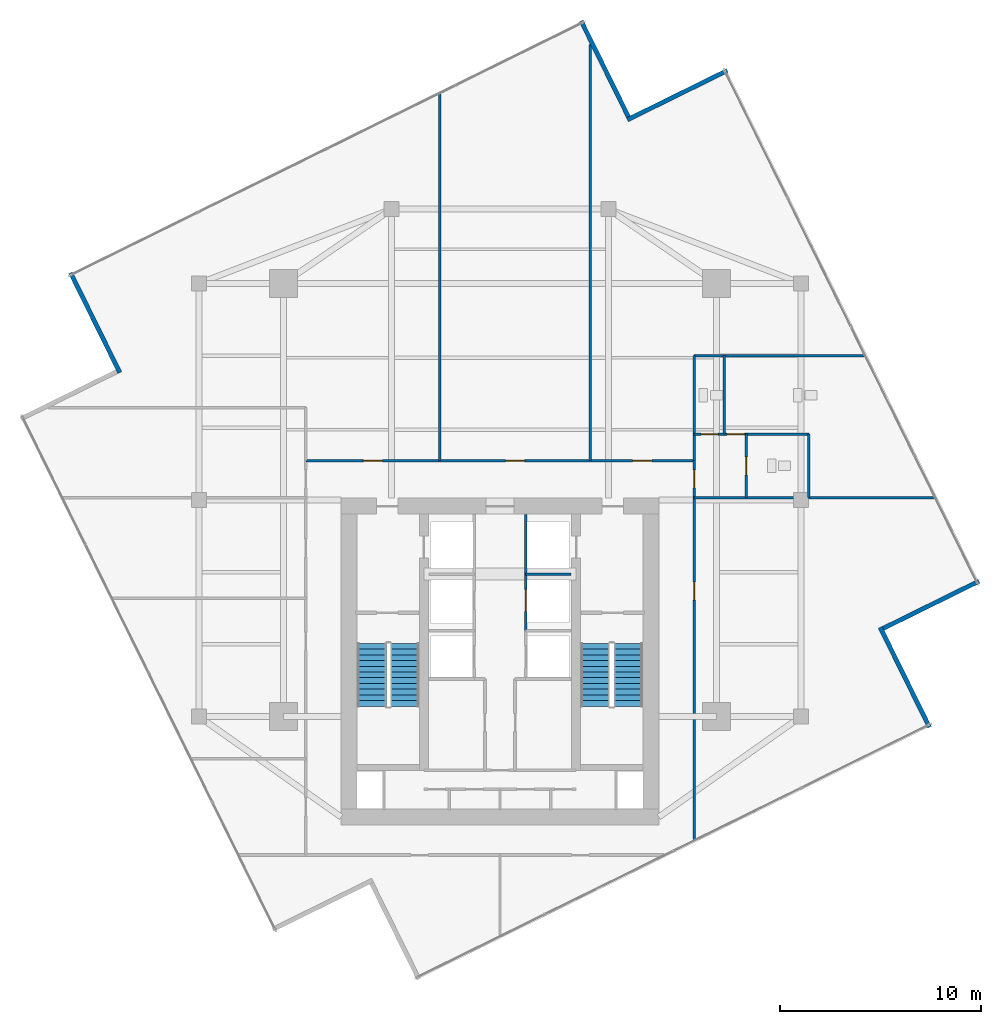
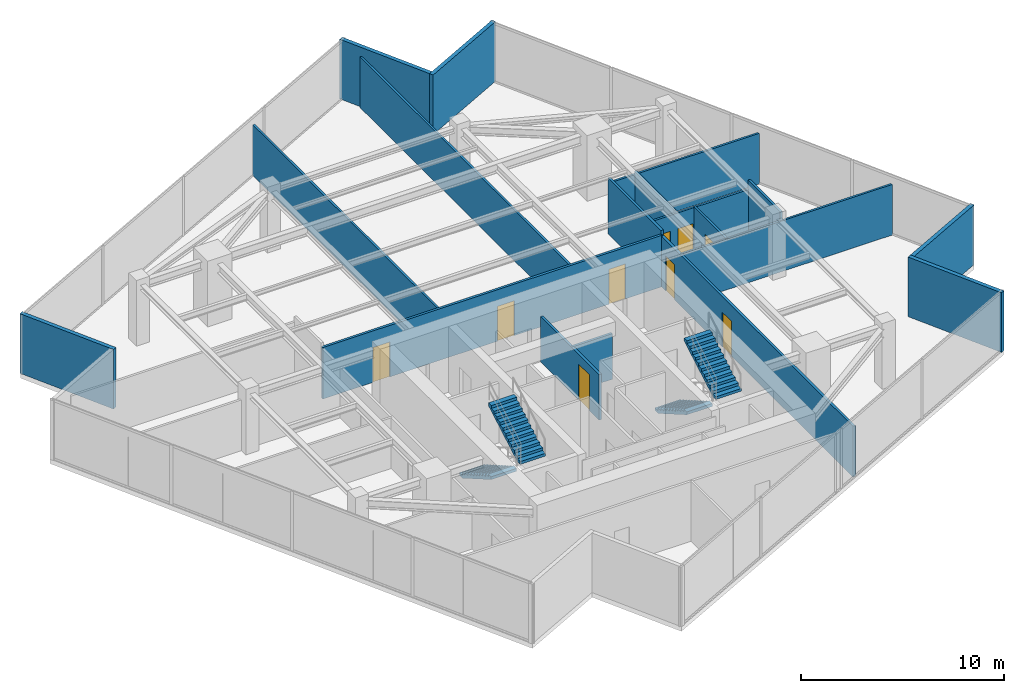
# One storey, part 20 of 22: 18 walls, 9 doors, 4 stair flights, 9 openings, 2 elements without a shape of their own.
"""IFC4 building model written with IfcOpenShell, lengths in metres."""

from ifc_helpers import new_model, si_unit, direction, frame, frame_2d, origin, place, context, subcontext, project, spatial, polyline, rectangle, outline, extrude, material, layer, layer_set, type_object, element, fill, aggregate, save


model = new_model("IFC4")

# Units and contexts
model_context = context("Model", 3, precision=1e-05, world=origin(), true_north=direction((0.0, 1.0)))
body_context = subcontext(model_context, "Body", "Model", "MODEL_VIEW")
ifc_project = project(units=[si_unit("LENGTHUNIT", "METRE"), si_unit("AREAUNIT", "SQUARE_METRE"), si_unit("VOLUMEUNIT", "CUBIC_METRE"), si_unit("PLANEANGLEUNIT", "RADIAN"), si_unit("MASSUNIT", "GRAM", prefix="KILO")], contexts=[model_context])

# Site, building, storey
site_placement = place(None, origin())
site = spatial("IfcSite", under=ifc_project, at=site_placement, CompositionType="ELEMENT")
building_placement = place(site_placement, origin())
building = spatial("IfcBuilding", under=site, at=building_placement, Name="Krantzveldt Concourse Tower", CompositionType="ELEMENT")
storey_placement = place(building_placement, frame((0.0, 0.0, 314.800048828125)))
storey = spatial("IfcBuildingStorey", under=building, at=storey_placement, Name="L77", CompositionType="ELEMENT", Elevation=314.800048828125)

# Walls
ifc_material_1 = material(Name="Anodised aluminium 6063-T6", Category="aluminium")
ifc_layer_1 = layer(ifc_material_1, 0.219970703125, Name="Anodised aluminium 6063-T6", Category="aluminium")
ifc_layer_set_1 = layer_set([ifc_layer_1], Name="Anodised aluminium 6063-T6 (WL-EXT-NOTCH220)")
wall_type_1 = type_object("IfcWallType", Name="WL-EXT-NOTCH220", PredefinedType="ELEMENTEDWALL", material=ifc_layer_set_1)
wall_1_placement = place(storey_placement, frame((42.40185546875, 45.80126953125, 0.0), z_axis=(0.0, 0.0, 1.0), x_axis=(-0.442291978932, 0.896871119712, 0.0)))
element("IfcWall", 1, at=wall_1_placement, inside=storey, type_object=wall_type_1, Name="EW-L77-NCH00", PredefinedType="ELEMENTEDWALL", context=body_context, shape_type="SweptSolid", body=[
    extrude(rectangle(XDim=5.324951171875, YDim=0.219970703125, at=frame_2d((2.66259765625, 0.0))), origin(), (0.0, 0.0, 1.0), 3.58984375),
])
for number, where, z_axis, x_axis, name in (
    (2, (14.593505859375, 38.025146484375, 0.0), (0.0, 0.0, 1.0), (0.442275503639, -0.896879244314, 0.0), "EW-L77-NCH02"),
    (3, (57.406494140625, 15.375, 0.0), (0.0, 0.0, 1.0), (-0.442275503639, 0.896879244314, 0.0), "EW-L77-NCH08"),
):
    element("IfcWall", number, at=place(storey_placement, frame(where, z_axis=z_axis, x_axis=x_axis)), inside=storey, type_object=wall_type_1, Name=name, PredefinedType="ELEMENTEDWALL", context=body_context, shape_type="SweptSolid", body=[
        extrude(rectangle(XDim=5.544921875, YDim=0.219970703125, at=frame_2d((2.7724609375, 0.0))), origin(), (0.0, 0.0, 1.0), 3.58984375),
    ])
wall_2_placement = place(storey_placement, frame((55.101318359375, 20.298095703125, 0.0), z_axis=(0.0, 0.0, 1.0), x_axis=(0.896871119712, 0.442291978932, 0.0)))
element("IfcWall", 4, at=wall_2_placement, inside=storey, type_object=wall_type_1, Name="EW-L77-NCH09", PredefinedType="ELEMENTEDWALL", context=body_context, shape_type="SweptSolid", body=[
    extrude(rectangle(XDim=5.324951171875, YDim=0.219970703125, at=frame_2d((2.66259765625, 0.0))), origin(), (0.0, 0.0, 1.0), 3.58984375),
])
wall_3_placement = place(storey_placement, frame((47.324951171875, 48.1064453125, 0.0), z_axis=(0.0, 0.0, 1.0), x_axis=(-0.896879244314, -0.442275503639, 0.0)))
element("IfcWall", 5, at=wall_3_placement, inside=storey, type_object=wall_type_1, Name="EW-L77-NCH11", PredefinedType="ELEMENTEDWALL", context=body_context, shape_type="SweptSolid", body=[
    extrude(rectangle(XDim=5.544921875, YDim=0.219970703125, at=frame_2d((2.7724609375, 0.0))), origin(), (0.0, 0.0, 1.0), 3.58984375),
])
ifc_material_2 = material(Name="Fire-rated gypsum plasterboard on steel stud", Category="steel")
ifc_layer_2 = layer(ifc_material_2, 0.1201171875, Name="Fire-rated gypsum plasterboard on steel stud", Category="steel")
ifc_layer_set_2 = layer_set([ifc_layer_2], Name="Fire-rated gypsum plasterboard on steel stud (WL-PART-120)")
wall_type_2 = type_object("IfcWallType", Name="WL-PART-120", PredefinedType="PARTITIONING", material=ifc_layer_set_2)
wall_4_placement = place(storey_placement, frame((45.679931640625, 26.820068359375, 0.0), z_axis=(0.0, 0.0, 1.0), x_axis=(1.0, 0.0, 0.0)))
element("IfcWall", 6, at=wall_4_placement, inside=storey, type_object=wall_type_2, Name="WP-L77-WCBS", PredefinedType="PARTITIONING", context=body_context, shape_type="SweptSolid", body=[
    extrude(rectangle(XDim=12.01416015625, YDim=0.1201171875, at=frame_2d((6.007080078125, 0.0))), origin(), (0.0, 0.0, 1.0), 3.050048828125),
])
wall_5_placement = place(storey_placement, frame((45.679931640625, 33.89990234375, 0.0), z_axis=(0.0, 0.0, 1.0), x_axis=(1.0, 0.0, 0.0)))
element("IfcWall", 7, at=wall_5_placement, inside=storey, type_object=wall_type_2, Name="WP-L77-WCBN", PredefinedType="PARTITIONING", context=body_context, shape_type="SweptSolid", body=[
    extrude(rectangle(XDim=8.522705078125, YDim=0.1201171875, at=frame_2d((4.26123046875, 0.0))), origin(), (0.0, 0.0, 1.0), 3.050048828125),
])

# Wall, openings, doors
wall_6_placement = place(storey_placement, frame((45.679931640625, 29.97998046875, 0.0), z_axis=(0.0, 0.0, 1.0), x_axis=(1.0, 0.0, 0.0)))
wall_6 = element("IfcWall", 8, at=wall_6_placement, inside=storey, type_object=wall_type_2, Name="WP-L77-WCMH", PredefinedType="PARTITIONING", context=body_context, shape_type="SweptSolid", body=[
    extrude(rectangle(XDim=5.719970703125, YDim=0.1201171875, at=frame_2d((2.85986328125, 0.0))), origin(), (0.0, 0.0, 1.0), 3.050048828125),
])
opening_1_placement = place(wall_6_placement, frame((1.64501953125, 0.0, 0.0)))
opening_1 = element("IfcOpeningElement", 9, at=opening_1_placement, cuts=wall_6, Name="Opening D-IN085", PredefinedType="OPENING", context=body_context, shape_type="SweptSolid", body=[
    extrude(rectangle(XDim=0.85009765625, YDim=2.10009765625, at=frame_2d((0.425048828125, 1.050048828125))), frame((0.0, 0.070068359375, 0.0), z_axis=(0.0, -1.0, 0.0), x_axis=(1.0, 0.0, 0.0)), (0.0, 0.0, 1.0), 0.14013671875),
])
opening_2_placement = place(wall_6_placement, frame((0.344970703125, 0.0, 0.0)))
opening_2 = element("IfcOpeningElement", 10, at=opening_2_placement, cuts=wall_6, Name="Opening D-IN085", PredefinedType="OPENING", context=body_context, shape_type="SweptSolid", body=[
    extrude(rectangle(XDim=0.85009765625, YDim=2.10009765625, at=frame_2d((0.425048828125, 1.050048828125))), frame((0.0, 0.070068359375, 0.0), z_axis=(0.0, -1.0, 0.0), x_axis=(1.0, 0.0, 0.0)), (0.0, 0.0, 1.0), 0.14013671875),
])
ifc_material_3 = material(Name="Hardwood timber", Category="wood")
door_type_1 = type_object("IfcDoorType", Name="DR-INT-850", OperationType="SINGLE_SWING_LEFT", PredefinedType="DOOR", material=ifc_material_3)
door_1_placement = place(opening_1_placement, origin())
door_1 = element("IfcDoor", 11, at=door_1_placement, inside=storey, type_object=door_type_1, Name="DR-L77-WCM", OperationType="SINGLE_SWING_RIGHT", OverallHeight=2.10009765625, OverallWidth=0.85009765625, PredefinedType="DOOR", context=body_context, shape_type="SweptSolid", body=[
    extrude(rectangle(XDim=0.85009765625, YDim=2.10009765625, at=frame_2d((0.425048828125, 1.050048828125))), frame((0.0, 0.02490234375, 0.0), z_axis=(0.0, -1.0, 0.0), x_axis=(1.0, 0.0, 0.0)), (0.0, 0.0, 1.0), 0.050048828125),
])
fill(opening_1, door_1)
door_2_placement = place(opening_2_placement, origin())
door_2 = element("IfcDoor", 12, at=door_2_placement, inside=storey, type_object=door_type_1, Name="DR-L77-WCF", OperationType="SINGLE_SWING_LEFT", OverallHeight=2.10009765625, OverallWidth=0.85009765625, PredefinedType="DOOR", context=body_context, shape_type="SweptSolid", body=[
    extrude(rectangle(XDim=0.85009765625, YDim=2.10009765625, at=frame_2d((0.425048828125, 1.050048828125))), frame((0.0, 0.02490234375, 0.0), z_axis=(0.0, -1.0, 0.0), x_axis=(1.0, 0.0, 0.0)), (0.0, 0.0, 1.0), 0.050048828125),
])
fill(opening_2, door_2)

# Wall
wall_7_placement = place(storey_placement, frame((51.39990234375, 26.820068359375, 0.0), z_axis=(0.0, 0.0, 1.0), x_axis=(0.0, 1.0, 0.0)))
element("IfcWall", 13, at=wall_7_placement, inside=storey, type_object=wall_type_2, Name="WP-L77-WCAR", PredefinedType="PARTITIONING", context=body_context, shape_type="SweptSolid", body=[
    extrude(rectangle(XDim=3.159912109375, YDim=0.1201171875, at=frame_2d((1.580078125, 0.0))), origin(), (0.0, 0.0, 1.0), 3.58984375),
])

# Wall, opening, door
wall_8_placement = place(storey_placement, frame((48.280029296875, 26.820068359375, 0.0), z_axis=(0.0, 0.0, 1.0), x_axis=(0.0, 1.0, 0.0)))
wall_8 = element("IfcWall", 14, at=wall_8_placement, inside=storey, type_object=wall_type_2, Name="WP-L77-WCAV", PredefinedType="PARTITIONING", context=body_context, shape_type="SweptSolid", body=[
    extrude(rectangle(XDim=3.159912109375, YDim=0.1201171875, at=frame_2d((1.580078125, 0.0))), origin(), (0.0, 0.0, 1.0), 3.099853515625),
])
opening_3_placement = place(wall_8_placement, frame((1.1298828125, 0.0, 0.0)))
opening_3 = element("IfcOpeningElement", 15, at=opening_3_placement, cuts=wall_8, Name="Opening D-IN090", PredefinedType="OPENING", context=body_context, shape_type="SweptSolid", body=[
    extrude(rectangle(XDim=0.89990234375, YDim=2.10009765625, at=frame_2d((0.449951171875, 1.050048828125))), frame((0.0, 0.070068359375, 0.0), z_axis=(0.0, -1.0, 0.0), x_axis=(1.0, 0.0, 0.0)), (0.0, 0.0, 1.0), 0.14013671875),
])
door_type_2 = type_object("IfcDoorType", Name="DR-INT-900", OperationType="SINGLE_SWING_LEFT", PredefinedType="DOOR", material=ifc_material_3)
door_3_placement = place(opening_3_placement, origin())
door_3 = element("IfcDoor", 16, at=door_3_placement, inside=storey, type_object=door_type_2, Name="DR-L77-WCA", OperationType="SINGLE_SWING_RIGHT", OverallHeight=2.10009765625, OverallWidth=0.89990234375, PredefinedType="DOOR", context=body_context, shape_type="SweptSolid", body=[
    extrude(rectangle(XDim=0.89990234375, YDim=2.10009765625, at=frame_2d((0.449951171875, 1.050048828125))), frame((0.0, 0.02490234375, 0.0), z_axis=(0.0, -1.0, 0.0), x_axis=(1.0, 0.0, 0.0)), (0.0, 0.0, 1.0), 0.050048828125),
])
fill(opening_3, door_3)

# Walls
wall_9_placement = place(storey_placement, frame((47.179931640625, 29.97998046875, 0.0), z_axis=(0.0, 0.0, 1.0), x_axis=(0.0, 1.0, 0.0)))
element("IfcWall", 17, at=wall_9_placement, inside=storey, type_object=wall_type_2, Name="WP-L77-WCFD", PredefinedType="PARTITIONING", context=body_context, shape_type="SweptSolid", body=[
    extrude(rectangle(XDim=3.919921875, YDim=0.1201171875, at=frame_2d((1.9599609375, 0.0))), origin(), (0.0, 0.0, 1.0), 3.22998046875),
])
wall_10_placement = place(storey_placement, frame((33.0, 28.659912109375, 0.0), z_axis=(0.0, 0.0, 1.0), x_axis=(0.0, 1.0, 0.0)))
element("IfcWall", 18, at=wall_10_placement, inside=storey, type_object=wall_type_2, Name="WP-L77-ND1", PredefinedType="PARTITIONING", context=body_context, shape_type="SweptSolid", body=[
    extrude(rectangle(XDim=18.31396484375, YDim=0.1201171875, at=frame_2d((9.156982421875, 0.0))), origin(), (0.0, 0.0, 1.0), 3.050048828125),
])
wall_11_placement = place(storey_placement, frame((40.5, 28.659912109375, 0.0), z_axis=(0.0, 0.0, 1.0), x_axis=(0.0, 1.0, 0.0)))
element("IfcWall", 19, at=wall_11_placement, inside=storey, type_object=wall_type_2, Name="WP-L77-ND2", PredefinedType="PARTITIONING", context=body_context, shape_type="SweptSolid", body=[
    extrude(rectangle(XDim=20.738037109375, YDim=0.1201171875, at=frame_2d((10.369140625, 0.0))), origin(), (0.0, 0.0, 1.0), 3.050048828125),
])

# Wall, openings, doors
ifc_layer_3 = layer(ifc_material_2, 0.139892578125, Name="Fire-rated gypsum plasterboard on steel stud", Category="steel")
ifc_layer_set_3 = layer_set([ifc_layer_3], Name="Fire-rated gypsum plasterboard on steel stud (WL-PART-140)")
wall_type_3 = type_object("IfcWallType", Name="WL-PART-140", PredefinedType="PARTITIONING", material=ifc_layer_set_3)
wall_12_placement = place(storey_placement, frame((26.320068359375, 28.659912109375, 0.0), z_axis=(0.0, 0.0, 1.0), x_axis=(1.0, 0.0, 0.0)))
wall_12 = element("IfcWall", 20, at=wall_12_placement, inside=storey, type_object=wall_type_3, Name="WP-L77-CNHDR", PredefinedType="PARTITIONING", context=body_context, shape_type="SweptSolid", body=[
    extrude(rectangle(XDim=19.35986328125, YDim=0.139892578125, at=frame_2d((9.679931640625, 0.0))), origin(), (0.0, 0.0, 1.0), 3.099853515625),
])
opening_4_placement = place(wall_12_placement, frame((2.864990234375, 0.0, 0.0)))
opening_4 = element("IfcOpeningElement", 21, at=opening_4_placement, cuts=wall_12, Name="Opening D-IN095", PredefinedType="OPENING", context=body_context, shape_type="SweptSolid", body=[
    extrude(rectangle(XDim=0.949951171875, YDim=2.10009765625, at=frame_2d((0.47509765625, 1.050048828125))), frame((0.0, 0.080078125, 0.0), z_axis=(0.0, -1.0, 0.0), x_axis=(1.0, 0.0, 0.0)), (0.0, 0.0, 1.0), 0.159912109375),
])
opening_5_placement = place(wall_12_placement, frame((9.955078125, 0.0, 0.0)))
opening_5 = element("IfcOpeningElement", 22, at=opening_5_placement, cuts=wall_12, Name="Opening D-IN095", PredefinedType="OPENING", context=body_context, shape_type="SweptSolid", body=[
    extrude(rectangle(XDim=0.949951171875, YDim=2.10009765625, at=frame_2d((0.47509765625, 1.050048828125))), frame((0.0, 0.080078125, 0.0), z_axis=(0.0, -1.0, 0.0), x_axis=(1.0, 0.0, 0.0)), (0.0, 0.0, 1.0), 0.159912109375),
])
opening_6_placement = place(wall_12_placement, frame((16.294921875, 0.0, 0.0)))
opening_6 = element("IfcOpeningElement", 23, at=opening_6_placement, cuts=wall_12, Name="Opening D-IN095", PredefinedType="OPENING", context=body_context, shape_type="SweptSolid", body=[
    extrude(rectangle(XDim=0.949951171875, YDim=2.10009765625, at=frame_2d((0.47509765625, 1.050048828125))), frame((0.0, 0.080078125, 0.0), z_axis=(0.0, -1.0, 0.0), x_axis=(1.0, 0.0, 0.0)), (0.0, 0.0, 1.0), 0.159912109375),
])
door_type_3 = type_object("IfcDoorType", Name="DR-INT-950", OperationType="SINGLE_SWING_LEFT", PredefinedType="DOOR", material=ifc_material_3)
door_4_placement = place(opening_4_placement, origin())
door_4 = element("IfcDoor", 24, at=door_4_placement, inside=storey, type_object=door_type_3, Name="DR-L77-NR1", OperationType="SINGLE_SWING_LEFT", OverallHeight=2.10009765625, OverallWidth=0.949951171875, PredefinedType="DOOR", context=body_context, shape_type="SweptSolid", body=[
    extrude(rectangle(XDim=0.949951171875, YDim=2.10009765625, at=frame_2d((0.47509765625, 1.050048828125))), frame((0.0, 0.02490234375, 0.0), z_axis=(0.0, -1.0, 0.0), x_axis=(1.0, 0.0, 0.0)), (0.0, 0.0, 1.0), 0.050048828125),
])
fill(opening_4, door_4)
door_5_placement = place(opening_5_placement, origin())
door_5 = element("IfcDoor", 25, at=door_5_placement, inside=storey, type_object=door_type_3, Name="DR-L77-NR2", OperationType="SINGLE_SWING_LEFT", OverallHeight=2.10009765625, OverallWidth=0.949951171875, PredefinedType="DOOR", context=body_context, shape_type="SweptSolid", body=[
    extrude(rectangle(XDim=0.949951171875, YDim=2.10009765625, at=frame_2d((0.47509765625, 1.050048828125))), frame((0.0, 0.02490234375, 0.0), z_axis=(0.0, -1.0, 0.0), x_axis=(1.0, 0.0, 0.0)), (0.0, 0.0, 1.0), 0.050048828125),
])
fill(opening_5, door_5)
door_6_placement = place(opening_6_placement, origin())
door_6 = element("IfcDoor", 26, at=door_6_placement, inside=storey, type_object=door_type_3, Name="DR-L77-NR3", OperationType="SINGLE_SWING_LEFT", OverallHeight=2.10009765625, OverallWidth=0.949951171875, PredefinedType="DOOR", context=body_context, shape_type="SweptSolid", body=[
    extrude(rectangle(XDim=0.949951171875, YDim=2.10009765625, at=frame_2d((0.47509765625, 1.050048828125))), frame((0.0, 0.02490234375, 0.0), z_axis=(0.0, -1.0, 0.0), x_axis=(1.0, 0.0, 0.0)), (0.0, 0.0, 1.0), 0.050048828125),
])
fill(opening_6, door_6)

wall_13_placement = place(storey_placement, frame((45.679931640625, 9.72021484375, 0.0), z_axis=(0.0, 0.0, 1.0), x_axis=(0.0, 1.0, 0.0)))
wall_13 = element("IfcWall", 27, at=wall_13_placement, inside=storey, type_object=wall_type_3, Name="WP-L77-CEAST", PredefinedType="PARTITIONING", context=body_context, shape_type="SweptSolid", body=[
    extrude(rectangle(XDim=18.939697265625, YDim=0.139892578125, at=frame_2d((9.4697265625, 0.0))), origin(), (0.0, 0.0, 1.0), 3.050048828125),
])
opening_7_placement = place(wall_13_placement, frame((17.57958984375, 0.0, 0.0)))
opening_7 = element("IfcOpeningElement", 28, at=opening_7_placement, cuts=wall_13, Name="Opening D-IN090", PredefinedType="OPENING", context=body_context, shape_type="SweptSolid", body=[
    extrude(rectangle(XDim=0.89990234375, YDim=2.10009765625, at=frame_2d((0.449951171875, 1.050048828125))), frame((0.0, 0.080078125, 0.0), z_axis=(0.0, -1.0, 0.0), x_axis=(1.0, 0.0, 0.0)), (0.0, 0.0, 1.0), 0.159912109375),
])
opening_8_placement = place(wall_13_placement, frame((11.98974609375, 0.0, 0.0)))
opening_8 = element("IfcOpeningElement", 29, at=opening_8_placement, cuts=wall_13, Name="Opening D-IN090", PredefinedType="OPENING", context=body_context, shape_type="SweptSolid", body=[
    extrude(rectangle(XDim=0.89990234375, YDim=2.10009765625, at=frame_2d((0.449951171875, 1.050048828125))), frame((0.0, 0.080078125, 0.0), z_axis=(0.0, -1.0, 0.0), x_axis=(1.0, 0.0, 0.0)), (0.0, 0.0, 1.0), 0.159912109375),
])
door_7_placement = place(opening_7_placement, origin())
door_7 = element("IfcDoor", 30, at=door_7_placement, inside=storey, type_object=door_type_2, Name="DR-L77-WCV", OperationType="SINGLE_SWING_RIGHT", OverallHeight=2.10009765625, OverallWidth=0.89990234375, PredefinedType="DOOR", context=body_context, shape_type="SweptSolid", body=[
    extrude(rectangle(XDim=0.89990234375, YDim=2.10009765625, at=frame_2d((0.449951171875, 1.050048828125))), frame((0.0, 0.02490234375, 0.0), z_axis=(0.0, -1.0, 0.0), x_axis=(1.0, 0.0, 0.0)), (0.0, 0.0, 1.0), 0.050048828125),
])
fill(opening_7, door_7)
door_8_placement = place(opening_8_placement, origin())
door_8 = element("IfcDoor", 31, at=door_8_placement, inside=storey, type_object=door_type_2, Name="DR-L77-ER1", OperationType="SINGLE_SWING_LEFT", OverallHeight=2.10009765625, OverallWidth=0.89990234375, PredefinedType="DOOR", context=body_context, shape_type="SweptSolid", body=[
    extrude(rectangle(XDim=0.89990234375, YDim=2.10009765625, at=frame_2d((0.449951171875, 1.050048828125))), frame((0.0, 0.02490234375, 0.0), z_axis=(0.0, -1.0, 0.0), x_axis=(1.0, 0.0, 0.0)), (0.0, 0.0, 1.0), 0.050048828125),
])
fill(opening_8, door_8)

# Wall
wall_14_placement = place(storey_placement, frame((45.679931640625, 28.659912109375, 0.0), z_axis=(0.0, 0.0, 1.0), x_axis=(0.0, 1.0, 0.0)))
element("IfcWall", 32, at=wall_14_placement, inside=storey, type_object=wall_type_3, Name="WP-L77-NER", PredefinedType="PARTITIONING", context=body_context, shape_type="SweptSolid", body=[
    extrude(rectangle(XDim=5.239990234375, YDim=0.139892578125, at=frame_2d((2.6201171875, 0.0))), origin(), (0.0, 0.0, 1.0), 3.349853515625),
])

# Wall, opening, door
ifc_layer_4 = layer(ifc_material_2, 0.139892578125, Name="Fire-rated gypsum plasterboard on steel stud", Category="steel")
ifc_layer_set_4 = layer_set([ifc_layer_4], Name="Fire-rated gypsum plasterboard on steel stud (WL-PART-FR140)")
wall_type_4 = type_object("IfcWallType", Name="WL-PART-FR140", PredefinedType="PARTITIONING", material=ifc_layer_set_4)
wall_15_placement = place(storey_placement, frame((37.280029296875, 20.199951171875, 0.0), z_axis=(0.0, 0.0, 1.0), x_axis=(0.0, 1.0, 0.0)))
wall_15 = element("IfcWall", 33, at=wall_15_placement, inside=storey, type_object=wall_type_4, Name="WP-L77-SHNE", PredefinedType="PARTITIONING", context=body_context, shape_type="SweptSolid", body=[
    extrude(rectangle(XDim=5.780029296875, YDim=0.139892578125, at=frame_2d((2.89013671875, 0.0))), origin(), (0.0, 0.0, 1.0), 2.739990234375),
])
opening_9_placement = place(wall_15_placement, frame((0.949951171875, 0.0, 0.0)))
opening_9 = element("IfcOpeningElement", 34, at=opening_9_placement, cuts=wall_15, Name="Opening LD", PredefinedType="OPENING", context=body_context, shape_type="SweptSolid", body=[
    extrude(rectangle(XDim=1.10009765625, YDim=2.14990234375, at=frame_2d((0.550048828125, 1.074951171875))), frame((0.0, 0.080078125, 0.0), z_axis=(0.0, -1.0, 0.0), x_axis=(1.0, 0.0, 0.0)), (0.0, 0.0, 1.0), 0.159912109375),
])
ifc_material_4 = material(Name="Stainless steel 316L", Category="steel")
door_type_4 = type_object("IfcDoorType", Name="DR-SLIDE-LD1100", OperationType="DOUBLE_DOOR_SLIDING", PredefinedType="DOOR", material=ifc_material_4)
door_9_placement = place(opening_9_placement, origin())
door_9 = element("IfcDoor", 35, at=door_9_placement, inside=storey, type_object=door_type_4, Name="LD-L77-GL1", OperationType="DOUBLE_DOOR_SLIDING", OverallHeight=2.14990234375, OverallWidth=1.10009765625, PredefinedType="DOOR", context=body_context, shape_type="SweptSolid", body=[
    extrude(rectangle(XDim=1.10009765625, YDim=2.14990234375, at=frame_2d((0.550048828125, 1.074951171875))), frame((0.0, 0.02490234375, 0.0), z_axis=(0.0, -1.0, 0.0), x_axis=(1.0, 0.0, 0.0)), (0.0, 0.0, 1.0), 0.050048828125),
])
fill(opening_9, door_9)

# Wall
wall_16_placement = place(storey_placement, frame((37.280029296875, 23.0, 0.0), z_axis=(0.0, 0.0, 1.0), x_axis=(1.0, 0.0, 0.0)))
element("IfcWall", 36, at=wall_16_placement, inside=storey, type_object=wall_type_4, Name="WP-L77-GLH", PredefinedType="PARTITIONING", context=body_context, shape_type="SweptSolid", body=[
    extrude(rectangle(XDim=2.27001953125, YDim=0.139892578125, at=frame_2d((1.135009765625, 0.0))), origin(), (0.0, 0.0, 1.0), 2.739990234375),
])

# Stair, stair flights
ifc_material_5 = material(Name="Precast concrete C40/50", Category="concrete")
stair_type = type_object("IfcStairType", Name="STR-CORE-DOGLEG", PredefinedType="HALF_TURN_STAIR", material=ifc_material_5)
stair_1_placement = place(storey_placement, origin())
stair_1 = element("IfcStair", 37, at=stair_1_placement, inside=storey, type_object=stair_type, Name="L77 Protected Escape Stair ST-1", PredefinedType="HALF_TURN_STAIR")
stair_flight_type = type_object("IfcStairFlightType", Name="STF-CORE-1450", PredefinedType="STRAIGHT", material=ifc_material_5)
stair_flight_1_placement = place(storey_placement, frame((29.60498046875, 19.550048828125, 0.0), z_axis=(0.0, 0.0, 1.0), x_axis=(0.0, -1.0, 0.0)))
stair_flight_1 = element("IfcStairFlight", 38, at=stair_flight_1_placement, type_object=stair_flight_type, Name="ST-1 flight 1", NumberOfRisers=12, NumberOfTreads=11, PredefinedType="STRAIGHT", RiserHeight=0.164583333, TreadLength=0.285, context=body_context, shape_type="SweptSolid", body=[
    extrude(outline(polyline([(0.0, 0.0), (0.0, 0.16455078125), (0.284912109375, 0.16455078125), (0.284912109375, 0.3291015625), (0.570068359375, 0.3291015625), (0.570068359375, 0.49365234375), (0.85498046875, 0.49365234375), (0.85498046875, 0.658447265625), (1.139892578125, 0.658447265625), (1.139892578125, 0.822998046875), (1.425048828125, 0.822998046875), (1.425048828125, 0.987548828125), (1.7099609375, 0.987548828125), (1.7099609375, 1.152099609375), (1.9951171875, 1.152099609375), (1.9951171875, 1.316650390625), (2.280029296875, 1.316650390625), (2.280029296875, 1.481201171875), (2.56494140625, 1.481201171875), (2.56494140625, 1.645751953125), (2.85009765625, 1.645751953125), (2.85009765625, 1.810302734375), (3.135009765625, 1.810302734375), (3.135009765625, 1.97509765625), (3.135009765625, 1.63720703125), (0.2998046875, 0.0), (0.0, 0.0)])), frame((0.0, 0.72509765625, 0.0), z_axis=(0.0, -1.0, 0.0), x_axis=(1.0, 0.0, 0.0)), (0.0, 0.0, 1.0), 1.449951171875),
])
stair_flight_2_placement = place(storey_placement, frame((31.2548828125, 16.4150390625, 1.974853515625), z_axis=(0.0, 0.0, 1.0), x_axis=(0.0, 1.0, 0.0)))
stair_flight_2 = element("IfcStairFlight", 39, at=stair_flight_2_placement, type_object=stair_flight_type, Name="ST-1 flight 2", NumberOfRisers=12, NumberOfTreads=11, PredefinedType="STRAIGHT", RiserHeight=0.164583333, TreadLength=0.285, context=body_context, shape_type="SweptSolid", body=[
    extrude(outline(polyline([(0.0, 0.0), (0.0, 0.16455078125), (0.284912109375, 0.16455078125), (0.284912109375, 0.3291015625), (0.570068359375, 0.3291015625), (0.570068359375, 0.49365234375), (0.85498046875, 0.49365234375), (0.85498046875, 0.658447265625), (1.139892578125, 0.658447265625), (1.139892578125, 0.822998046875), (1.425048828125, 0.822998046875), (1.425048828125, 0.987548828125), (1.7099609375, 0.987548828125), (1.7099609375, 1.152099609375), (1.9951171875, 1.152099609375), (1.9951171875, 1.316650390625), (2.280029296875, 1.316650390625), (2.280029296875, 1.481201171875), (2.56494140625, 1.481201171875), (2.56494140625, 1.645751953125), (2.85009765625, 1.645751953125), (2.85009765625, 1.810302734375), (3.135009765625, 1.810302734375), (3.135009765625, 1.97509765625), (3.135009765625, 1.63720703125), (0.2998046875, 0.0), (0.0, 0.0)])), frame((0.0, 0.72509765625, 0.0), z_axis=(0.0, -1.0, 0.0), x_axis=(1.0, 0.0, 0.0)), (0.0, 0.0, 1.0), 1.449951171875),
])
aggregate(stair_1, [stair_flight_1, stair_flight_2])

stair_2_placement = place(storey_placement, origin())
stair_2 = element("IfcStair", 40, at=stair_2_placement, inside=storey, type_object=stair_type, Name="L77 Protected Escape Stair ST-2", PredefinedType="HALF_TURN_STAIR")
stair_flight_3_placement = place(storey_placement, frame((40.7451171875, 19.550048828125, 0.0), z_axis=(0.0, 0.0, 1.0), x_axis=(0.0, -1.0, 0.0)))
stair_flight_3 = element("IfcStairFlight", 41, at=stair_flight_3_placement, type_object=stair_flight_type, Name="ST-2 flight 1", NumberOfRisers=12, NumberOfTreads=11, PredefinedType="STRAIGHT", RiserHeight=0.164583333, TreadLength=0.285, context=body_context, shape_type="SweptSolid", body=[
    extrude(outline(polyline([(0.0, 0.0), (0.0, 0.16455078125), (0.284912109375, 0.16455078125), (0.284912109375, 0.3291015625), (0.570068359375, 0.3291015625), (0.570068359375, 0.49365234375), (0.85498046875, 0.49365234375), (0.85498046875, 0.658447265625), (1.139892578125, 0.658447265625), (1.139892578125, 0.822998046875), (1.425048828125, 0.822998046875), (1.425048828125, 0.987548828125), (1.7099609375, 0.987548828125), (1.7099609375, 1.152099609375), (1.9951171875, 1.152099609375), (1.9951171875, 1.316650390625), (2.280029296875, 1.316650390625), (2.280029296875, 1.481201171875), (2.56494140625, 1.481201171875), (2.56494140625, 1.645751953125), (2.85009765625, 1.645751953125), (2.85009765625, 1.810302734375), (3.135009765625, 1.810302734375), (3.135009765625, 1.97509765625), (3.135009765625, 1.63720703125), (0.2998046875, 0.0), (0.0, 0.0)])), frame((0.0, 0.72509765625, 0.0), z_axis=(0.0, -1.0, 0.0), x_axis=(1.0, 0.0, 0.0)), (0.0, 0.0, 1.0), 1.449951171875),
])
stair_flight_4_placement = place(storey_placement, frame((42.39501953125, 16.4150390625, 1.974853515625), z_axis=(0.0, 0.0, 1.0), x_axis=(0.0, 1.0, 0.0)))
stair_flight_4 = element("IfcStairFlight", 42, at=stair_flight_4_placement, type_object=stair_flight_type, Name="ST-2 flight 2", NumberOfRisers=12, NumberOfTreads=11, PredefinedType="STRAIGHT", RiserHeight=0.164583333, TreadLength=0.285, context=body_context, shape_type="SweptSolid", body=[
    extrude(outline(polyline([(0.0, 0.0), (0.0, 0.16455078125), (0.284912109375, 0.16455078125), (0.284912109375, 0.3291015625), (0.570068359375, 0.3291015625), (0.570068359375, 0.49365234375), (0.85498046875, 0.49365234375), (0.85498046875, 0.658447265625), (1.139892578125, 0.658447265625), (1.139892578125, 0.822998046875), (1.425048828125, 0.822998046875), (1.425048828125, 0.987548828125), (1.7099609375, 0.987548828125), (1.7099609375, 1.152099609375), (1.9951171875, 1.152099609375), (1.9951171875, 1.316650390625), (2.280029296875, 1.316650390625), (2.280029296875, 1.481201171875), (2.56494140625, 1.481201171875), (2.56494140625, 1.645751953125), (2.85009765625, 1.645751953125), (2.85009765625, 1.810302734375), (3.135009765625, 1.810302734375), (3.135009765625, 1.97509765625), (3.135009765625, 1.63720703125), (0.2998046875, 0.0), (0.0, 0.0)])), frame((0.0, 0.72509765625, 0.0), z_axis=(0.0, -1.0, 0.0), x_axis=(1.0, 0.0, 0.0)), (0.0, 0.0, 1.0), 1.449951171875),
])
aggregate(stair_2, [stair_flight_3, stair_flight_4])

save(model, "model.ifc")
